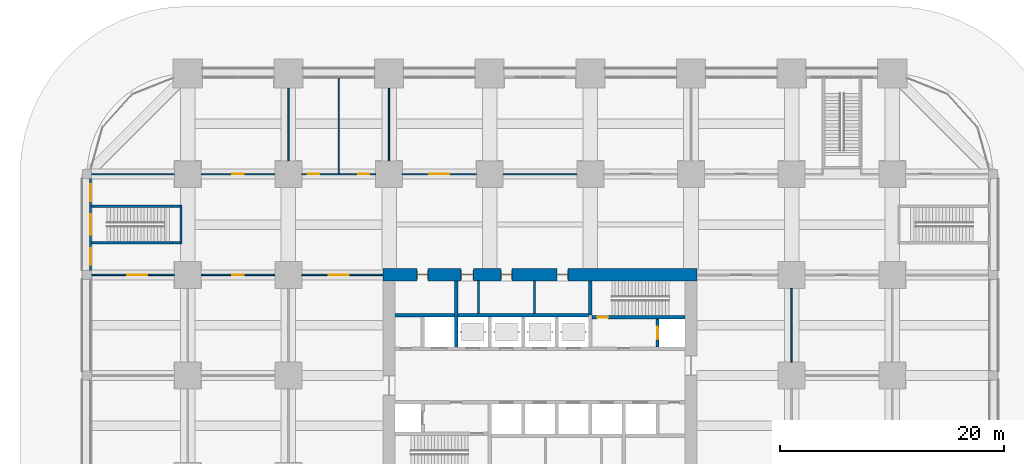
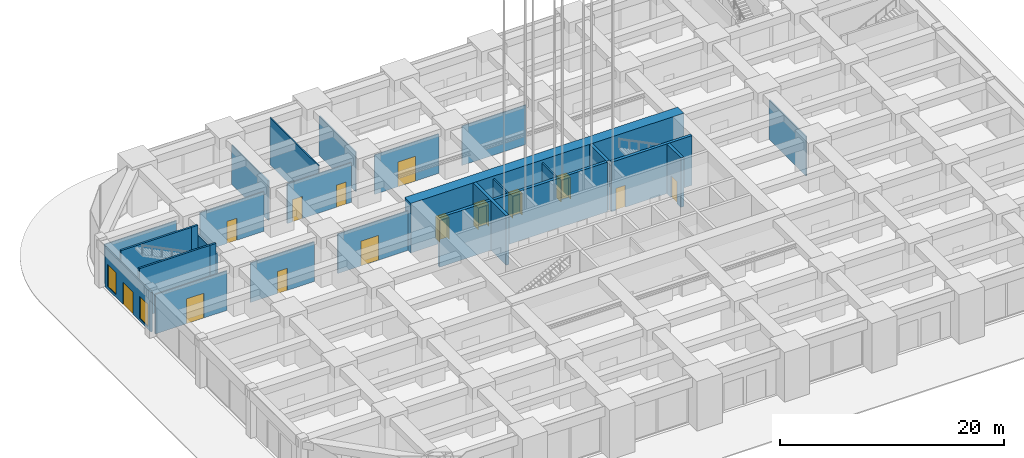
# One storey, part 43 of 56: 26 walls, 14 doors, 2 windows, 16 openings.
"""IFC4 building model written with IfcOpenShell, lengths in metres."""

from ifc_helpers import new_model, si_unit, direction, frame, frame_2d, origin, place, context, subcontext, project, spatial, rectangle, extrude, material, layer, layer_set, type_object, element, fill, save


model = new_model("IFC4")

# Units and contexts
model_context = context("Model", 3, precision=1e-05, world=origin(), true_north=direction((0.0, 1.0)))
body_context = subcontext(model_context, "Body", "Model", "MODEL_VIEW")
ifc_project = project(units=[si_unit("LENGTHUNIT", "METRE"), si_unit("AREAUNIT", "SQUARE_METRE"), si_unit("VOLUMEUNIT", "CUBIC_METRE"), si_unit("PLANEANGLEUNIT", "RADIAN"), si_unit("MASSUNIT", "GRAM", prefix="KILO")], contexts=[model_context])

# Site, building, storey
site_placement = place(None, origin())
site = spatial("IfcSite", under=ifc_project, at=site_placement, CompositionType="ELEMENT")
building_placement = place(site_placement, origin())
building = spatial("IfcBuilding", under=site, at=building_placement, Name="Zorevar Civic Tower", CompositionType="ELEMENT")
storey_placement = place(building_placement, origin())
storey = spatial("IfcBuildingStorey", under=building, at=storey_placement, Name="L00", CompositionType="ELEMENT", Elevation=0.0)

# Walls
ifc_material_1 = material(Name="Concrete blockwork", Category="masonry")
ifc_layer_1 = layer(ifc_material_1, 0.199951171875)
ifc_layer_set_1 = layer_set([ifc_layer_1], Name="Blockwork wall 200")
wall_type_1 = type_object("IfcWallType", Name="Blockwork wall 200", PredefinedType="SOLIDWALL", material=ifc_layer_set_1)
for number, where, z_axis, x_axis, name in (
    (1, (-1.35009765625, 38.875, 0.0), (0.0, 0.0, 1.0), (1.0, 0.0, 0.0), "Escape stair PS1 enclosure L00"),
    (2, (-1.35009765625, 42.125, 0.0), (0.0, 0.0, 1.0), (1.0, 0.0, 0.0), "Escape stair PS1 enclosure L00"),
):
    element("IfcWall", number, at=place(storey_placement, frame(where, z_axis=z_axis, x_axis=x_axis)), inside=storey, type_object=wall_type_1, Name=name, PredefinedType="SOLIDWALL", context=body_context, shape_type="SweptSolid", body=[
        extrude(rectangle(XDim=0.650146484375, YDim=0.199951171875, at=frame_2d((0.3251953125, 0.0))), origin(), (0.0, 0.0, 1.0), 5.39990234375),
    ])
wall_1_placement = place(storey_placement, frame((-0.60009765625, 38.77490234375, 0.0), z_axis=(0.0, 0.0, 1.0), x_axis=(0.0, 1.0, 0.0)))
element("IfcWall", 3, at=wall_1_placement, inside=storey, type_object=wall_type_1, Name="Escape stair PS1 enclosure L00", PredefinedType="SOLIDWALL", context=body_context, shape_type="SweptSolid", body=[
    extrude(rectangle(XDim=3.4501953125, YDim=0.199951171875, at=frame_2d((1.72509765625, 0.0))), origin(), (0.0, 0.0, 1.0), 4.300048828125),
])

# Wall, openings, doors
ifc_material_2 = material(Name="Concrete C50/60", Category="concrete")
ifc_layer_2 = layer(ifc_material_2, 1.10009765625)
ifc_layer_set_2 = layer_set([ifc_layer_2], Name="Core wall 1100")
wall_type_2 = type_object("IfcWallType", Name="Core wall 1100", PredefinedType="SHEAR", material=ifc_layer_set_2)
wall_2_placement = place(storey_placement, frame((45.550048828125, 36.0, 0.0), z_axis=(0.0, 0.0, 1.0), x_axis=(-1.0, 0.0, 0.0)))
wall_2 = element("IfcWall", 4, at=wall_2_placement, inside=storey, type_object=wall_type_2, Name="Core wall N L00", PredefinedType="SHEAR", context=body_context, shape_type="SweptSolid", body=[
    extrude(rectangle(XDim=28.10009765625, YDim=1.10009765625, at=frame_2d((14.050048828125, 0.0))), origin(), (0.0, 0.0, 1.0), 5.39990234375),
])
opening_1_placement = place(wall_2_placement, frame((11.550048828125, 0.0, 0.0)))
opening_1 = element("IfcOpeningElement", 5, at=opening_1_placement, cuts=wall_2, Name="Opening L00.07", PredefinedType="OPENING", context=body_context, shape_type="SweptSolid", body=[
    extrude(rectangle(XDim=1.0, YDim=2.39990234375, at=frame_2d((0.5, 1.199951171875))), frame((0.0, 0.56005859375, 0.0), z_axis=(0.0, -1.0, 0.0), x_axis=(1.0, 0.0, 0.0)), (0.0, 0.0, 1.0), 1.1201171875),
])
opening_2_placement = place(wall_2_placement, frame((16.550048828125, 0.0, 0.0)))
opening_2 = element("IfcOpeningElement", 6, at=opening_2_placement, cuts=wall_2, Name="Opening L00.08", PredefinedType="OPENING", context=body_context, shape_type="SweptSolid", body=[
    extrude(rectangle(XDim=1.0, YDim=2.39990234375, at=frame_2d((0.5, 1.199951171875))), frame((0.0, 0.56005859375, 0.0), z_axis=(0.0, -1.0, 0.0), x_axis=(1.0, 0.0, 0.0)), (0.0, 0.0, 1.0), 1.1201171875),
])
opening_3_placement = place(wall_2_placement, frame((20.0, 0.0, 0.0)))
opening_3 = element("IfcOpeningElement", 7, at=opening_3_placement, cuts=wall_2, Name="Opening L00.09", PredefinedType="OPENING", context=body_context, shape_type="SweptSolid", body=[
    extrude(rectangle(XDim=1.10009765625, YDim=2.39990234375, at=frame_2d((0.550048828125, 1.199951171875))), frame((0.0, 0.56005859375, 0.0), z_axis=(0.0, -1.0, 0.0), x_axis=(1.0, 0.0, 0.0)), (0.0, 0.0, 1.0), 1.1201171875),
])
opening_4_placement = place(wall_2_placement, frame((24.050048828125, 0.0, 0.0)))
opening_4 = element("IfcOpeningElement", 8, at=opening_4_placement, cuts=wall_2, Name="Opening L00.10", PredefinedType="OPENING", context=body_context, shape_type="SweptSolid", body=[
    extrude(rectangle(XDim=1.0, YDim=2.39990234375, at=frame_2d((0.5, 1.199951171875))), frame((0.0, 0.56005859375, 0.0), z_axis=(0.0, -1.0, 0.0), x_axis=(1.0, 0.0, 0.0)), (0.0, 0.0, 1.0), 1.1201171875),
])
ifc_material_3 = material(Name="Timber door set", Category="wood")
door_type_1 = type_object("IfcDoorType", Name="Door D1 1000x2400", OperationType="SINGLE_SWING_LEFT", PredefinedType="DOOR", material=ifc_material_3)
door_1_placement = place(opening_1_placement, origin())
door_1 = element("IfcDoor", 9, at=door_1_placement, inside=storey, type_object=door_type_1, Name="Door L00 06", OperationType="SINGLE_SWING_LEFT", OverallHeight=2.39990234375, OverallWidth=1.0, PredefinedType="DOOR", context=body_context, shape_type="SweptSolid", body=[
    extrude(rectangle(XDim=1.0, YDim=2.39990234375, at=frame_2d((0.5, 1.199951171875))), frame((0.0, 0.02490234375, 0.0), z_axis=(0.0, -1.0, 0.0), x_axis=(1.0, 0.0, 0.0)), (0.0, 0.0, 1.0), 0.050048828125),
    extrude(rectangle(XDim=0.04, YDim=2.39990234375, at=frame_2d((0.02001953125, 1.199951171875))), frame((0.0, 0.39990234375, 0.0), z_axis=(0.0, -1.0, 0.0), x_axis=(1.0, 0.0, 0.0)), (0.0, 0.0, 1.0), 0.800048828125),
    extrude(rectangle(XDim=0.04, YDim=2.39990234375, at=frame_2d((0.97998046875, 1.199951171875))), frame((0.0, 0.39990234375, 0.0), z_axis=(0.0, -1.0, 0.0), x_axis=(1.0, 0.0, 0.0)), (0.0, 0.0, 1.0), 0.800048828125),
    extrude(rectangle(XDim=1.0, YDim=0.04, at=frame_2d((0.5, 2.3798828125))), frame((0.0, 0.39990234375, 0.0), z_axis=(0.0, -1.0, 0.0), x_axis=(1.0, 0.0, 0.0)), (0.0, 0.0, 1.0), 0.800048828125),
])
fill(opening_1, door_1)
door_2_placement = place(opening_2_placement, origin())
door_2 = element("IfcDoor", 10, at=door_2_placement, inside=storey, type_object=door_type_1, Name="Door L00 07", OperationType="SINGLE_SWING_RIGHT", OverallHeight=2.39990234375, OverallWidth=1.0, PredefinedType="DOOR", context=body_context, shape_type="SweptSolid", body=[
    extrude(rectangle(XDim=1.0, YDim=2.39990234375, at=frame_2d((0.5, 1.199951171875))), frame((0.0, 0.02490234375, 0.0), z_axis=(0.0, -1.0, 0.0), x_axis=(1.0, 0.0, 0.0)), (0.0, 0.0, 1.0), 0.050048828125),
    extrude(rectangle(XDim=0.04, YDim=2.39990234375, at=frame_2d((0.02001953125, 1.199951171875))), frame((0.0, 0.39990234375, 0.0), z_axis=(0.0, -1.0, 0.0), x_axis=(1.0, 0.0, 0.0)), (0.0, 0.0, 1.0), 0.800048828125),
    extrude(rectangle(XDim=0.04, YDim=2.39990234375, at=frame_2d((0.97998046875, 1.199951171875))), frame((0.0, 0.39990234375, 0.0), z_axis=(0.0, -1.0, 0.0), x_axis=(1.0, 0.0, 0.0)), (0.0, 0.0, 1.0), 0.800048828125),
    extrude(rectangle(XDim=1.0, YDim=0.04, at=frame_2d((0.5, 2.3798828125))), frame((0.0, 0.39990234375, 0.0), z_axis=(0.0, -1.0, 0.0), x_axis=(1.0, 0.0, 0.0)), (0.0, 0.0, 1.0), 0.800048828125),
])
fill(opening_2, door_2)
door_3_placement = place(opening_4_placement, origin())
door_3 = element("IfcDoor", 11, at=door_3_placement, inside=storey, type_object=door_type_1, Name="Door L00 09", OperationType="SINGLE_SWING_RIGHT", OverallHeight=2.39990234375, OverallWidth=1.0, PredefinedType="DOOR", context=body_context, shape_type="SweptSolid", body=[
    extrude(rectangle(XDim=1.0, YDim=2.39990234375, at=frame_2d((0.5, 1.199951171875))), frame((0.0, 0.02490234375, 0.0), z_axis=(0.0, -1.0, 0.0), x_axis=(1.0, 0.0, 0.0)), (0.0, 0.0, 1.0), 0.050048828125),
    extrude(rectangle(XDim=0.04, YDim=2.39990234375, at=frame_2d((0.02001953125, 1.199951171875))), frame((0.0, 0.39990234375, 0.0), z_axis=(0.0, -1.0, 0.0), x_axis=(1.0, 0.0, 0.0)), (0.0, 0.0, 1.0), 0.800048828125),
    extrude(rectangle(XDim=0.04, YDim=2.39990234375, at=frame_2d((0.97998046875, 1.199951171875))), frame((0.0, 0.39990234375, 0.0), z_axis=(0.0, -1.0, 0.0), x_axis=(1.0, 0.0, 0.0)), (0.0, 0.0, 1.0), 0.800048828125),
    extrude(rectangle(XDim=1.0, YDim=0.04, at=frame_2d((0.5, 2.3798828125))), frame((0.0, 0.39990234375, 0.0), z_axis=(0.0, -1.0, 0.0), x_axis=(1.0, 0.0, 0.0)), (0.0, 0.0, 1.0), 0.800048828125),
])
fill(opening_4, door_3)
ifc_material_4 = material(Name="Timber door set", Category="wood")
door_type_2 = type_object("IfcDoorType", Name="Door D5 1100x2400", OperationType="SINGLE_SWING_LEFT", PredefinedType="DOOR", material=ifc_material_4)
door_4_placement = place(opening_3_placement, origin())
door_4 = element("IfcDoor", 12, at=door_4_placement, inside=storey, type_object=door_type_2, Name="Door L00 08", OperationType="SINGLE_SWING_RIGHT", OverallHeight=2.39990234375, OverallWidth=1.10009765625, PredefinedType="DOOR", context=body_context, shape_type="SweptSolid", body=[
    extrude(rectangle(XDim=1.10009765625, YDim=2.39990234375, at=frame_2d((0.550048828125, 1.199951171875))), frame((0.0, 0.02490234375, 0.0), z_axis=(0.0, -1.0, 0.0), x_axis=(1.0, 0.0, 0.0)), (0.0, 0.0, 1.0), 0.050048828125),
    extrude(rectangle(XDim=0.04, YDim=2.39990234375, at=frame_2d((0.02001953125, 1.199951171875))), frame((0.0, 0.43994140625, 0.0), z_axis=(0.0, -1.0, 0.0), x_axis=(1.0, 0.0, 0.0)), (0.0, 0.0, 1.0), 0.880126953125),
    extrude(rectangle(XDim=0.04, YDim=2.39990234375, at=frame_2d((1.080078125, 1.199951171875))), frame((0.0, 0.43994140625, 0.0), z_axis=(0.0, -1.0, 0.0), x_axis=(1.0, 0.0, 0.0)), (0.0, 0.0, 1.0), 0.880126953125),
    extrude(rectangle(XDim=1.10009765625, YDim=0.04, at=frame_2d((0.550048828125, 2.3798828125))), frame((0.0, 0.43994140625, 0.0), z_axis=(0.0, -1.0, 0.0), x_axis=(1.0, 0.0, 0.0)), (0.0, 0.0, 1.0), 0.880126953125),
])
fill(opening_3, door_4)

# Wall, opening, door
ifc_material_5 = material(Name="Laminated glass in black aluminium frame", Category="aluminium")
ifc_layer_3 = layer(ifc_material_5, 0.10009765625)
ifc_layer_set_3 = layer_set([ifc_layer_3], Name="Glazed partition 100")
wall_type_3 = type_object("IfcWallType", Name="Glazed partition 100", PredefinedType="PARTITIONING", material=ifc_layer_set_3)
wall_3_placement = place(storey_placement, frame((19.199951171875, 45.0, 0.0), z_axis=(0.0, 0.0, 1.0), x_axis=(1.0, 0.0, 0.0)))
wall_3 = element("IfcWall", 13, at=wall_3_placement, inside=storey, type_object=wall_type_3, Name="Glazed partition 100 L00", PredefinedType="PARTITIONING", context=body_context, shape_type="SweptSolid", body=[
    extrude(rectangle(XDim=6.60009765625, YDim=0.10009765625, at=frame_2d((3.300048828125, 0.0))), origin(), (0.0, 0.0, 1.0), 4.300048828125),
])
opening_5_placement = place(wall_3_placement, frame((2.39990234375, 0.0, 0.0)))
opening_5 = element("IfcOpeningElement", 14, at=opening_5_placement, cuts=wall_3, Name="Opening L00.37", PredefinedType="OPENING", context=body_context, shape_type="SweptSolid", body=[
    extrude(rectangle(XDim=1.800048828125, YDim=2.699951171875, at=frame_2d((0.89990234375, 1.35009765625))), frame((0.0, 0.06005859375, 0.0), z_axis=(0.0, -1.0, 0.0), x_axis=(1.0, 0.0, 0.0)), (0.0, 0.0, 1.0), 0.1201171875),
])
ifc_material_6 = material(Name="Timber door set", Category="wood")
door_type_3 = type_object("IfcDoorType", Name="Door D3 1800x2700", OperationType="DOUBLE_DOOR_DOUBLE_SWING", PredefinedType="DOOR", material=ifc_material_6)
door_5_placement = place(opening_5_placement, origin())
door_5 = element("IfcDoor", 15, at=door_5_placement, inside=storey, type_object=door_type_3, Name="Door L00 D18", OperationType="DOUBLE_DOOR_DOUBLE_SWING", OverallHeight=2.699951171875, OverallWidth=1.800048828125, PredefinedType="DOOR", context=body_context, shape_type="SweptSolid", body=[
    extrude(rectangle(XDim=1.800048828125, YDim=2.699951171875, at=frame_2d((0.89990234375, 1.35009765625))), frame((0.0, 0.02490234375, 0.0), z_axis=(0.0, -1.0, 0.0), x_axis=(1.0, 0.0, 0.0)), (0.0, 0.0, 1.0), 0.050048828125),
])
fill(opening_5, door_5)

# Wall
wall_4_placement = place(storey_placement, frame((28.199951171875, 45.0, 0.0), z_axis=(0.0, 0.0, 1.0), x_axis=(1.0, 0.0, 0.0)))
element("IfcWall", 16, at=wall_4_placement, inside=storey, type_object=wall_type_3, Name="Glazed partition 100 L00", PredefinedType="PARTITIONING", context=body_context, shape_type="SweptSolid", body=[
    extrude(rectangle(XDim=6.60009765625, YDim=0.10009765625, at=frame_2d((3.300048828125, 0.0))), origin(), (0.0, 0.0, 1.0), 4.300048828125),
])

# Wall, opening, door
ifc_material_7 = material(Name="Concrete C40/50", Category="concrete")
ifc_layer_4 = layer(ifc_material_7, 0.300048828125)
ifc_layer_set_4 = layer_set([ifc_layer_4], Name="Inner core wall 300")
wall_type_4 = type_object("IfcWallType", Name="Inner core wall 300", PredefinedType="SHEAR", material=ifc_layer_set_4)
wall_5_placement = place(storey_placement, frame((36.14990234375, 32.199951171875, 0.0), z_axis=(0.0, 0.0, 1.0), x_axis=(1.0, 0.0, 0.0)))
wall_5 = element("IfcWall", 17, at=wall_5_placement, inside=storey, type_object=wall_type_4, Name="Inner core wall N00 L00", PredefinedType="SHEAR", context=body_context, shape_type="SweptSolid", body=[
    extrude(rectangle(XDim=8.300048828125, YDim=0.300048828125, at=frame_2d((4.14990234375, 0.0))), origin(), (0.0, 0.0, 1.0), 5.39990234375),
])
opening_6_placement = place(wall_5_placement, frame((0.449951171875, 0.0, 0.0)))
opening_6 = element("IfcOpeningElement", 18, at=opening_6_placement, cuts=wall_5, Name="Opening L00.12", PredefinedType="OPENING", context=body_context, shape_type="SweptSolid", body=[
    extrude(rectangle(XDim=1.0, YDim=2.39990234375, at=frame_2d((0.5, 1.199951171875))), frame((0.0, 0.159912109375, 0.0), z_axis=(0.0, -1.0, 0.0), x_axis=(1.0, 0.0, 0.0)), (0.0, 0.0, 1.0), 0.320068359375),
])
ifc_material_8 = material(Name="Steel door set", Category="steel")
door_type_4 = type_object("IfcDoorType", Name="Fire door FD1 1000x2400", OperationType="SINGLE_SWING_LEFT", PredefinedType="DOOR", material=ifc_material_8)
door_6_placement = place(opening_6_placement, origin())
door_6 = element("IfcDoor", 19, at=door_6_placement, inside=storey, type_object=door_type_4, Name="Door L00 11", OperationType="SINGLE_SWING_RIGHT", OverallHeight=2.39990234375, OverallWidth=1.0, PredefinedType="DOOR", context=body_context, shape_type="SweptSolid", body=[
    extrude(rectangle(XDim=1.0, YDim=2.39990234375, at=frame_2d((0.5, 1.199951171875))), frame((0.0, 0.030029296875, 0.0), z_axis=(0.0, -1.0, 0.0), x_axis=(1.0, 0.0, 0.0)), (0.0, 0.0, 1.0), 0.06005859375),
])
fill(opening_6, door_6)

# Wall
wall_6_placement = place(storey_placement, frame((36.0, 32.39990234375, 0.0), z_axis=(0.0, 0.0, 1.0), x_axis=(0.0, 1.0, 0.0)))
element("IfcWall", 20, at=wall_6_placement, inside=storey, type_object=wall_type_4, Name="Inner core wall N01 L00", PredefinedType="SHEAR", context=body_context, shape_type="SweptSolid", body=[
    extrude(rectangle(XDim=3.050048828125, YDim=0.300048828125, at=frame_2d((1.52490234375, 0.0))), origin(), (0.0, 0.0, 1.0), 5.39990234375),
])

# Wall, opening, door
wall_7_placement = place(storey_placement, frame((42.0, 29.550048828125, 0.0), z_axis=(0.0, 0.0, 1.0), x_axis=(0.0, 1.0, 0.0)))
wall_7 = element("IfcWall", 21, at=wall_7_placement, inside=storey, type_object=wall_type_4, Name="Inner core wall N02 L00", PredefinedType="SHEAR", context=body_context, shape_type="SweptSolid", body=[
    extrude(rectangle(XDim=2.5, YDim=0.300048828125, at=frame_2d((1.25, 0.0))), origin(), (0.0, 0.0, 1.0), 5.39990234375),
])
opening_7_placement = place(wall_7_placement, frame((0.699951171875, 0.0, 0.0)))
opening_7 = element("IfcOpeningElement", 22, at=opening_7_placement, cuts=wall_7, Name="Opening L00.FL2", PredefinedType="OPENING", context=body_context, shape_type="SweptSolid", body=[
    extrude(rectangle(XDim=1.10009765625, YDim=2.39990234375, at=frame_2d((0.550048828125, 1.199951171875))), frame((0.0, 0.159912109375, 0.0), z_axis=(0.0, -1.0, 0.0), x_axis=(1.0, 0.0, 0.0)), (0.0, 0.0, 1.0), 0.320068359375),
])
ifc_material_9 = material(Name="Steel door set", Category="steel")
door_type_5 = type_object("IfcDoorType", Name="Firefighting lift landing door LD3 1100x2400", OperationType="DOUBLE_DOOR_SLIDING", PredefinedType="DOOR", material=ifc_material_9)
door_7_placement = place(opening_7_placement, origin())
door_7 = element("IfcDoor", 23, at=door_7_placement, inside=storey, type_object=door_type_5, Name="Landing door FL2 L00", OperationType="DOUBLE_DOOR_SLIDING", OverallHeight=2.39990234375, OverallWidth=1.10009765625, PredefinedType="DOOR", context=body_context, shape_type="SweptSolid", body=[
    extrude(rectangle(XDim=1.10009765625, YDim=2.39990234375, at=frame_2d((0.550048828125, 1.199951171875))), frame((0.0, 0.030029296875, 0.0), z_axis=(0.0, -1.0, 0.0), x_axis=(1.0, 0.0, 0.0)), (0.0, 0.0, 1.0), 0.06005859375),
])
fill(opening_7, door_7)

# Walls
wall_8_placement = place(storey_placement, frame((18.550048828125, 32.39990234375, 0.0), z_axis=(0.0, 0.0, 1.0), x_axis=(1.0, 0.0, 0.0)))
element("IfcWall", 24, at=wall_8_placement, inside=storey, type_object=wall_type_4, Name="Inner core wall N04 L00", PredefinedType="SHEAR", context=body_context, shape_type="SweptSolid", body=[
    extrude(rectangle(XDim=17.300048828125, YDim=0.300048828125, at=frame_2d((8.64990234375, 0.0))), origin(), (0.0, 0.0, 1.0), 5.39990234375),
])
wall_9_placement = place(storey_placement, frame((24.0, 29.550048828125, 0.0), z_axis=(0.0, 0.0, 1.0), x_axis=(0.0, 1.0, 0.0)))
element("IfcWall", 25, at=wall_9_placement, inside=storey, type_object=wall_type_4, Name="Inner core wall N08 L00", PredefinedType="SHEAR", context=body_context, shape_type="SweptSolid", body=[
    extrude(rectangle(XDim=5.89990234375, YDim=0.300048828125, at=frame_2d((2.949951171875, 0.0))), origin(), (0.0, 0.0, 1.0), 5.39990234375),
])

# Wall, opening, door
ifc_material_10 = material(Name="Gypsum board on steel studs", Category="steel")
ifc_layer_5 = layer(ifc_material_10, 0.1201171875)
ifc_layer_set_5 = layer_set([ifc_layer_5], Name="Partition 120")
wall_type_5 = type_object("IfcWallType", Name="Partition 120", PredefinedType="PARTITIONING", material=ifc_layer_set_5)
wall_10_placement = place(storey_placement, frame((-8.60009765625, 36.0, 0.0), z_axis=(0.0, 0.0, 1.0), x_axis=(1.0, 0.0, 0.0)))
wall_10 = element("IfcWall", 26, at=wall_10_placement, inside=storey, type_object=wall_type_5, Name="Partition 120 L00", PredefinedType="PARTITIONING", context=body_context, shape_type="SweptSolid", body=[
    extrude(rectangle(XDim=7.400146484375, YDim=0.1201171875, at=frame_2d((3.7001953125, 0.0))), origin(), (0.0, 0.0, 1.0), 4.300048828125),
])
opening_8_placement = place(wall_10_placement, frame((3.199951171875, 0.0, 0.0)))
opening_8 = element("IfcOpeningElement", 27, at=opening_8_placement, cuts=wall_10, Name="Opening L00.26", PredefinedType="OPENING", context=body_context, shape_type="SweptSolid", body=[
    extrude(rectangle(XDim=1.800048828125, YDim=2.699951171875, at=frame_2d((0.89990234375, 1.35009765625))), frame((0.0, 0.070068359375, 0.0), z_axis=(0.0, -1.0, 0.0), x_axis=(1.0, 0.0, 0.0)), (0.0, 0.0, 1.0), 0.14013671875),
])
door_8_placement = place(opening_8_placement, origin())
door_8 = element("IfcDoor", 28, at=door_8_placement, inside=storey, type_object=door_type_3, Name="Door L00 D3", OperationType="DOUBLE_DOOR_DOUBLE_SWING", OverallHeight=2.699951171875, OverallWidth=1.800048828125, PredefinedType="DOOR", context=body_context, shape_type="SweptSolid", body=[
    extrude(rectangle(XDim=1.800048828125, YDim=2.699951171875, at=frame_2d((0.89990234375, 1.35009765625))), frame((0.0, 0.02490234375, 0.0), z_axis=(0.0, -1.0, 0.0), x_axis=(1.0, 0.0, 0.0)), (0.0, 0.0, 1.0), 0.050048828125),
])
fill(opening_8, door_8)

wall_11_placement = place(storey_placement, frame((1.199951171875, 36.0, 0.0), z_axis=(0.0, 0.0, 1.0), x_axis=(1.0, 0.0, 0.0)))
wall_11 = element("IfcWall", 29, at=wall_11_placement, inside=storey, type_object=wall_type_5, Name="Partition 120 L00", PredefinedType="PARTITIONING", context=body_context, shape_type="SweptSolid", body=[
    extrude(rectangle(XDim=6.60009765625, YDim=0.1201171875, at=frame_2d((3.300048828125, 0.0))), origin(), (0.0, 0.0, 1.0), 4.300048828125),
])
opening_9_placement = place(wall_11_placement, frame((2.800048828125, 0.0, 0.0)))
opening_9 = element("IfcOpeningElement", 30, at=opening_9_placement, cuts=wall_11, Name="Opening L00.27", PredefinedType="OPENING", context=body_context, shape_type="SweptSolid", body=[
    extrude(rectangle(XDim=1.0, YDim=2.39990234375, at=frame_2d((0.5, 1.199951171875))), frame((0.0, 0.070068359375, 0.0), z_axis=(0.0, -1.0, 0.0), x_axis=(1.0, 0.0, 0.0)), (0.0, 0.0, 1.0), 0.14013671875),
])
door_9_placement = place(opening_9_placement, origin())
door_9 = element("IfcDoor", 31, at=door_9_placement, inside=storey, type_object=door_type_1, Name="Door L00 D12", OperationType="SINGLE_SWING_LEFT", OverallHeight=2.39990234375, OverallWidth=1.0, PredefinedType="DOOR", context=body_context, shape_type="SweptSolid", body=[
    extrude(rectangle(XDim=1.0, YDim=2.39990234375, at=frame_2d((0.5, 1.199951171875))), frame((0.0, 0.02490234375, 0.0), z_axis=(0.0, -1.0, 0.0), x_axis=(1.0, 0.0, 0.0)), (0.0, 0.0, 1.0), 0.050048828125),
])
fill(opening_9, door_9)

wall_12_placement = place(storey_placement, frame((10.199951171875, 36.0, 0.0), z_axis=(0.0, 0.0, 1.0), x_axis=(1.0, 0.0, 0.0)))
wall_12 = element("IfcWall", 32, at=wall_12_placement, inside=storey, type_object=wall_type_5, Name="Partition 120 L00", PredefinedType="PARTITIONING", context=body_context, shape_type="SweptSolid", body=[
    extrude(rectangle(XDim=7.25, YDim=0.1201171875, at=frame_2d((3.625, 0.0))), origin(), (0.0, 0.0, 1.0), 4.300048828125),
])
opening_10_placement = place(wall_12_placement, frame((2.39990234375, 0.0, 0.0)))
opening_10 = element("IfcOpeningElement", 33, at=opening_10_placement, cuts=wall_12, Name="Opening L00.28", PredefinedType="OPENING", context=body_context, shape_type="SweptSolid", body=[
    extrude(rectangle(XDim=1.800048828125, YDim=2.699951171875, at=frame_2d((0.89990234375, 1.35009765625))), frame((0.0, 0.070068359375, 0.0), z_axis=(0.0, -1.0, 0.0), x_axis=(1.0, 0.0, 0.0)), (0.0, 0.0, 1.0), 0.14013671875),
])
door_10_placement = place(opening_10_placement, origin())
door_10 = element("IfcDoor", 34, at=door_10_placement, inside=storey, type_object=door_type_3, Name="Door L00 D4", OperationType="DOUBLE_DOOR_DOUBLE_SWING", OverallHeight=2.699951171875, OverallWidth=1.800048828125, PredefinedType="DOOR", context=body_context, shape_type="SweptSolid", body=[
    extrude(rectangle(XDim=1.800048828125, YDim=2.699951171875, at=frame_2d((0.89990234375, 1.35009765625))), frame((0.0, 0.02490234375, 0.0), z_axis=(0.0, -1.0, 0.0), x_axis=(1.0, 0.0, 0.0)), (0.0, 0.0, 1.0), 0.050048828125),
])
fill(opening_10, door_10)

# Walls
wall_13_placement = place(storey_placement, frame((54.0, 28.199951171875, 0.0), z_axis=(0.0, 0.0, 1.0), x_axis=(0.0, 1.0, 0.0)))
element("IfcWall", 35, at=wall_13_placement, inside=storey, type_object=wall_type_5, Name="Partition 120 L00", PredefinedType="PARTITIONING", context=body_context, shape_type="SweptSolid", body=[
    extrude(rectangle(XDim=6.60009765625, YDim=0.1201171875, at=frame_2d((3.300048828125, 0.0))), origin(), (0.0, 0.0, 1.0), 4.300048828125),
])
wall_14_placement = place(storey_placement, frame((-8.60009765625, 45.0, 0.0), z_axis=(0.0, 0.0, 1.0), x_axis=(1.0, 0.0, 0.0)))
element("IfcWall", 36, at=wall_14_placement, inside=storey, type_object=wall_type_5, Name="Partition 120 L00", PredefinedType="PARTITIONING", context=body_context, shape_type="SweptSolid", body=[
    extrude(rectangle(XDim=7.400146484375, YDim=0.1201171875, at=frame_2d((3.7001953125, 0.0))), origin(), (0.0, 0.0, 1.0), 4.300048828125),
])

# Wall, opening, door
wall_15_placement = place(storey_placement, frame((1.199951171875, 45.0, 0.0), z_axis=(0.0, 0.0, 1.0), x_axis=(1.0, 0.0, 0.0)))
wall_15 = element("IfcWall", 37, at=wall_15_placement, inside=storey, type_object=wall_type_5, Name="Partition 120 L00", PredefinedType="PARTITIONING", context=body_context, shape_type="SweptSolid", body=[
    extrude(rectangle(XDim=6.60009765625, YDim=0.1201171875, at=frame_2d((3.300048828125, 0.0))), origin(), (0.0, 0.0, 1.0), 4.300048828125),
])
opening_11_placement = place(wall_15_placement, frame((2.800048828125, 0.0, 0.0)))
opening_11 = element("IfcOpeningElement", 38, at=opening_11_placement, cuts=wall_15, Name="Opening L00.34", PredefinedType="OPENING", context=body_context, shape_type="SweptSolid", body=[
    extrude(rectangle(XDim=1.0, YDim=2.39990234375, at=frame_2d((0.5, 1.199951171875))), frame((0.0, 0.070068359375, 0.0), z_axis=(0.0, -1.0, 0.0), x_axis=(1.0, 0.0, 0.0)), (0.0, 0.0, 1.0), 0.14013671875),
])
door_11_placement = place(opening_11_placement, origin())
door_11 = element("IfcDoor", 39, at=door_11_placement, inside=storey, type_object=door_type_1, Name="Door L00 D15", OperationType="SINGLE_SWING_LEFT", OverallHeight=2.39990234375, OverallWidth=1.0, PredefinedType="DOOR", context=body_context, shape_type="SweptSolid", body=[
    extrude(rectangle(XDim=1.0, YDim=2.39990234375, at=frame_2d((0.5, 1.199951171875))), frame((0.0, 0.02490234375, 0.0), z_axis=(0.0, -1.0, 0.0), x_axis=(1.0, 0.0, 0.0)), (0.0, 0.0, 1.0), 0.050048828125),
])
fill(opening_11, door_11)

# Wall, openings, doors
wall_16_placement = place(storey_placement, frame((10.199951171875, 45.0, 0.0), z_axis=(0.0, 0.0, 1.0), x_axis=(1.0, 0.0, 0.0)))
wall_16 = element("IfcWall", 40, at=wall_16_placement, inside=storey, type_object=wall_type_5, Name="Partition 120 L00", PredefinedType="PARTITIONING", context=body_context, shape_type="SweptSolid", body=[
    extrude(rectangle(XDim=6.60009765625, YDim=0.1201171875, at=frame_2d((3.300048828125, 0.0))), origin(), (0.0, 0.0, 1.0), 4.300048828125),
])
opening_12_placement = place(wall_16_placement, frame((0.550048828125, 0.0, 0.0)))
opening_12 = element("IfcOpeningElement", 41, at=opening_12_placement, cuts=wall_16, Name="Opening L00.35", PredefinedType="OPENING", context=body_context, shape_type="SweptSolid", body=[
    extrude(rectangle(XDim=1.0, YDim=2.39990234375, at=frame_2d((0.5, 1.199951171875))), frame((0.0, 0.070068359375, 0.0), z_axis=(0.0, -1.0, 0.0), x_axis=(1.0, 0.0, 0.0)), (0.0, 0.0, 1.0), 0.14013671875),
])
opening_13_placement = place(wall_16_placement, frame((5.050048828125, 0.0, 0.0)))
opening_13 = element("IfcOpeningElement", 42, at=opening_13_placement, cuts=wall_16, Name="Opening L00.36", PredefinedType="OPENING", context=body_context, shape_type="SweptSolid", body=[
    extrude(rectangle(XDim=1.0, YDim=2.39990234375, at=frame_2d((0.5, 1.199951171875))), frame((0.0, 0.070068359375, 0.0), z_axis=(0.0, -1.0, 0.0), x_axis=(1.0, 0.0, 0.0)), (0.0, 0.0, 1.0), 0.14013671875),
])
door_12_placement = place(opening_12_placement, origin())
door_12 = element("IfcDoor", 43, at=door_12_placement, inside=storey, type_object=door_type_1, Name="Door L00 D16", OperationType="SINGLE_SWING_LEFT", OverallHeight=2.39990234375, OverallWidth=1.0, PredefinedType="DOOR", context=body_context, shape_type="SweptSolid", body=[
    extrude(rectangle(XDim=1.0, YDim=2.39990234375, at=frame_2d((0.5, 1.199951171875))), frame((0.0, 0.02490234375, 0.0), z_axis=(0.0, -1.0, 0.0), x_axis=(1.0, 0.0, 0.0)), (0.0, 0.0, 1.0), 0.050048828125),
])
fill(opening_12, door_12)
door_13_placement = place(opening_13_placement, origin())
door_13 = element("IfcDoor", 44, at=door_13_placement, inside=storey, type_object=door_type_1, Name="Door L00 D17", OperationType="SINGLE_SWING_RIGHT", OverallHeight=2.39990234375, OverallWidth=1.0, PredefinedType="DOOR", context=body_context, shape_type="SweptSolid", body=[
    extrude(rectangle(XDim=1.0, YDim=2.39990234375, at=frame_2d((0.5, 1.199951171875))), frame((0.0, 0.02490234375, 0.0), z_axis=(0.0, -1.0, 0.0), x_axis=(1.0, 0.0, 0.0)), (0.0, 0.0, 1.0), 0.050048828125),
])
fill(opening_13, door_13)

# Walls
wall_17_placement = place(storey_placement, frame((9.0, 46.199951171875, 0.0), z_axis=(0.0, 0.0, 1.0), x_axis=(0.0, 1.0, 0.0)))
element("IfcWall", 45, at=wall_17_placement, inside=storey, type_object=wall_type_5, Name="Partition 120 L00", PredefinedType="PARTITIONING", context=body_context, shape_type="SweptSolid", body=[
    extrude(rectangle(XDim=6.5, YDim=0.1201171875, at=frame_2d((3.25, 0.0))), origin(), (0.0, 0.0, 1.0), 4.300048828125),
])
wall_18_placement = place(storey_placement, frame((13.5, 45.0, 0.0), z_axis=(0.0, 0.0, 1.0), x_axis=(0.0, 1.0, 0.0)))
element("IfcWall", 46, at=wall_18_placement, inside=storey, type_object=wall_type_5, Name="Partition 120 L00", PredefinedType="PARTITIONING", context=body_context, shape_type="SweptSolid", body=[
    extrude(rectangle(XDim=8.68994140625, YDim=0.1201171875, at=frame_2d((4.344970703125, 0.0))), origin(), (0.0, 0.0, 1.0), 5.10009765625),
])
wall_19_placement = place(storey_placement, frame((18.0, 46.199951171875, 0.0), z_axis=(0.0, 0.0, 1.0), x_axis=(0.0, 1.0, 0.0)))
element("IfcWall", 47, at=wall_19_placement, inside=storey, type_object=wall_type_5, Name="Partition 120 L00", PredefinedType="PARTITIONING", context=body_context, shape_type="SweptSolid", body=[
    extrude(rectangle(XDim=6.5, YDim=0.1201171875, at=frame_2d((3.25, 0.0))), origin(), (0.0, 0.0, 1.0), 4.300048828125),
])

# Wall, openings, door, windows
ifc_material_11 = material(Name="Black metal-faced insulated panel", Category="aluminium")
ifc_layer_6 = layer(ifc_material_11, 0.179931640625)
ifc_layer_set_6 = layer_set([ifc_layer_6], Name="Screen wall 180")
wall_type_6 = type_object("IfcWallType", Name="Screen wall 180", PredefinedType="SOLIDWALL", material=ifc_layer_set_6)
wall_20_placement = place(storey_placement, frame((-8.699951171875, 36.39990234375, 0.0), z_axis=(0.0, 0.0, 1.0), x_axis=(0.0, 1.0, 0.0)))
wall_20 = element("IfcWall", 48, at=wall_20_placement, inside=storey, type_object=wall_type_6, Name="Screen wall L00 W36", PredefinedType="SOLIDWALL", context=body_context, shape_type="SweptSolid", body=[
    extrude(rectangle(XDim=8.2001953125, YDim=0.179931640625, at=frame_2d((4.10009765625, 0.0))), origin(), (0.0, 0.0, 1.0), 4.300048828125),
])
opening_14_placement = place(wall_20_placement, frame((3.199951171875, 0.0, 0.0)))
opening_14 = element("IfcOpeningElement", 49, at=opening_14_placement, cuts=wall_20, Name="Opening EX1", PredefinedType="OPENING", context=body_context, shape_type="SweptSolid", body=[
    extrude(rectangle(XDim=1.800048828125, YDim=2.39990234375, at=frame_2d((0.89990234375, 1.199951171875))), frame((0.0, 0.099853515625, 0.0), z_axis=(0.0, -1.0, 0.0), x_axis=(1.0, 0.0, 0.0)), (0.0, 0.0, 1.0), 0.199951171875),
])
opening_15_placement = place(wall_20_placement, frame((0.5, 0.0, 0.300048828125)))
opening_15 = element("IfcOpeningElement", 50, at=opening_15_placement, cuts=wall_20, Name="Opening WS1", PredefinedType="OPENING", context=body_context, shape_type="SweptSolid", body=[
    extrude(rectangle(XDim=1.5, YDim=2.39990234375, at=frame_2d((0.75, 1.199951171875))), frame((0.0, 0.099853515625, 0.0), z_axis=(0.0, -1.0, 0.0), x_axis=(1.0, 0.0, 0.0)), (0.0, 0.0, 1.0), 0.199951171875),
])
opening_16_placement = place(wall_20_placement, frame((6.199951171875, 0.0, 0.300048828125)))
opening_16 = element("IfcOpeningElement", 51, at=opening_16_placement, cuts=wall_20, Name="Opening WS1", PredefinedType="OPENING", context=body_context, shape_type="SweptSolid", body=[
    extrude(rectangle(XDim=1.5, YDim=2.39990234375, at=frame_2d((0.75, 1.199951171875))), frame((0.0, 0.099853515625, 0.0), z_axis=(0.0, -1.0, 0.0), x_axis=(1.0, 0.0, 0.0)), (0.0, 0.0, 1.0), 0.199951171875),
])
ifc_material_12 = material(Name="Black aluminium and dark glass, panic hardware", Category="aluminium")
door_type_6 = type_object("IfcDoorType", Name="Exit door EX1 1800x2400", OperationType="DOUBLE_DOOR_SINGLE_SWING", PredefinedType="DOOR", material=ifc_material_12)
door_14_placement = place(opening_14_placement, origin())
door_14 = element("IfcDoor", 52, at=door_14_placement, inside=storey, type_object=door_type_6, Name="Exit door L00 W36", OperationType="DOUBLE_DOOR_SINGLE_SWING", OverallHeight=2.39990234375, OverallWidth=1.800048828125, PredefinedType="DOOR", context=body_context, shape_type="SweptSolid", body=[
    extrude(rectangle(XDim=1.800048828125, YDim=2.39990234375, at=frame_2d((0.89990234375, 1.199951171875))), frame((0.0, 0.03515625, 0.0), z_axis=(0.0, -1.0, 0.0), x_axis=(1.0, 0.0, 0.0)), (0.0, 0.0, 1.0), 0.070068359375),
])
fill(opening_14, door_14)
ifc_material_13 = material(Name="Black aluminium and dark glass", Category="aluminium")
window_type = type_object("IfcWindowType", Name="Window WS1 1500x2400", PartitioningType="SINGLE_PANEL", PredefinedType="WINDOW", material=ifc_material_13)
window_1_placement = place(opening_15_placement, origin())
window_1 = element("IfcWindow", 53, at=window_1_placement, inside=storey, type_object=window_type, Name="Screen window L00 W36", OverallHeight=2.39990234375, OverallWidth=1.5, PartitioningType="SINGLE_PANEL", PredefinedType="WINDOW", context=body_context, shape_type="SweptSolid", body=[
    extrude(rectangle(XDim=1.5, YDim=2.39990234375, at=frame_2d((0.75, 1.199951171875))), frame((0.0, 0.030029296875, 0.0), z_axis=(0.0, -1.0, 0.0), x_axis=(1.0, 0.0, 0.0)), (0.0, 0.0, 1.0), 0.06005859375),
])
fill(opening_15, window_1)
window_2_placement = place(opening_16_placement, origin())
window_2 = element("IfcWindow", 54, at=window_2_placement, inside=storey, type_object=window_type, Name="Screen window L00 W36", OverallHeight=2.39990234375, OverallWidth=1.5, PartitioningType="SINGLE_PANEL", PredefinedType="WINDOW", context=body_context, shape_type="SweptSolid", body=[
    extrude(rectangle(XDim=1.5, YDim=2.39990234375, at=frame_2d((0.75, 1.199951171875))), frame((0.0, 0.030029296875, 0.0), z_axis=(0.0, -1.0, 0.0), x_axis=(1.0, 0.0, 0.0)), (0.0, 0.0, 1.0), 0.06005859375),
])
fill(opening_16, window_2)

# Walls
ifc_material_14 = material(Name="Concrete C30/37", Category="concrete")
ifc_layer_7 = layer(ifc_material_14, 0.199951171875)
ifc_layer_set_7 = layer_set([ifc_layer_7], Name="Stair enclosure wall 200")
wall_type_7 = type_object("IfcWallType", Name="Stair enclosure wall 200", PredefinedType="SOLIDWALL", material=ifc_layer_set_7)
for number, where, z_axis, x_axis, name in (
    (55, (-8.610107421875, 38.875, 0.0), (0.0, 0.0, 1.0), (1.0, 0.0, 0.0), "Escape stair PS1 enclosure L00"),
    (56, (-8.610107421875, 42.125, 0.0), (0.0, 0.0, 1.0), (1.0, 0.0, 0.0), "Escape stair PS1 enclosure L00"),
):
    element("IfcWall", number, at=place(storey_placement, frame(where, z_axis=z_axis, x_axis=x_axis)), inside=storey, type_object=wall_type_7, Name=name, PredefinedType="SOLIDWALL", context=body_context, shape_type="SweptSolid", body=[
        extrude(rectangle(XDim=7.260009765625, YDim=0.199951171875, at=frame_2d((3.6298828125, 0.0))), origin(), (0.0, 0.0, 1.0), 5.39990234375),
    ])
ifc_material_15 = material(Name="Gypsum board on steel studs, moisture resistant", Category="steel")
ifc_layer_8 = layer(ifc_material_15, 0.14990234375)
ifc_layer_set_8 = layer_set([ifc_layer_8], Name="WC partition 150")
wall_type_8 = type_object("IfcWallType", Name="WC partition 150", PredefinedType="PARTITIONING", material=ifc_layer_set_8)
for number, where, z_axis, x_axis, name in (
    (57, (31.0, 32.550048828125, 0.0), (0.0, 0.0, 1.0), (0.0, 1.0, 0.0), "WC partition L00"),
    (58, (26.0, 32.550048828125, 0.0), (0.0, 0.0, 1.0), (0.0, 1.0, 0.0), "WC partition L00"),
):
    element("IfcWall", number, at=place(storey_placement, frame(where, z_axis=z_axis, x_axis=x_axis)), inside=storey, type_object=wall_type_8, Name=name, PredefinedType="PARTITIONING", context=body_context, shape_type="SweptSolid", body=[
        extrude(rectangle(XDim=2.89990234375, YDim=0.14990234375, at=frame_2d((1.449951171875, 0.0))), origin(), (0.0, 0.0, 1.0), 5.10009765625),
    ])

save(model, "model.ifc")
